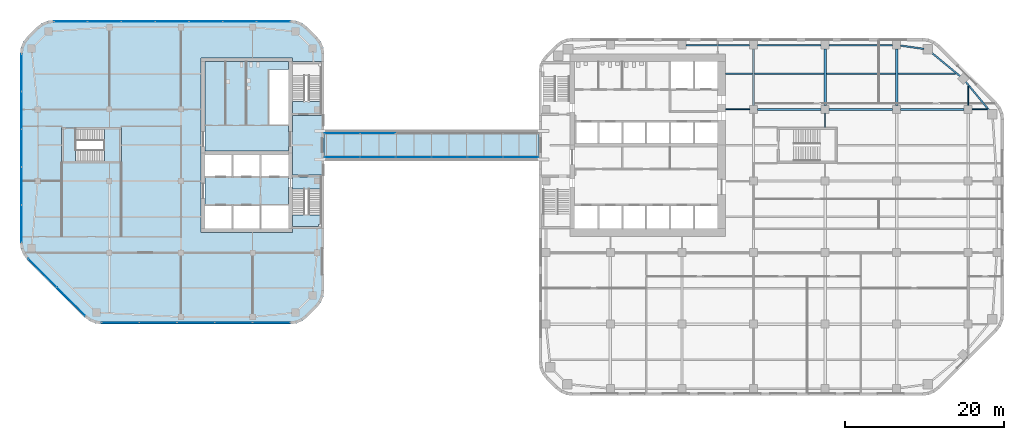
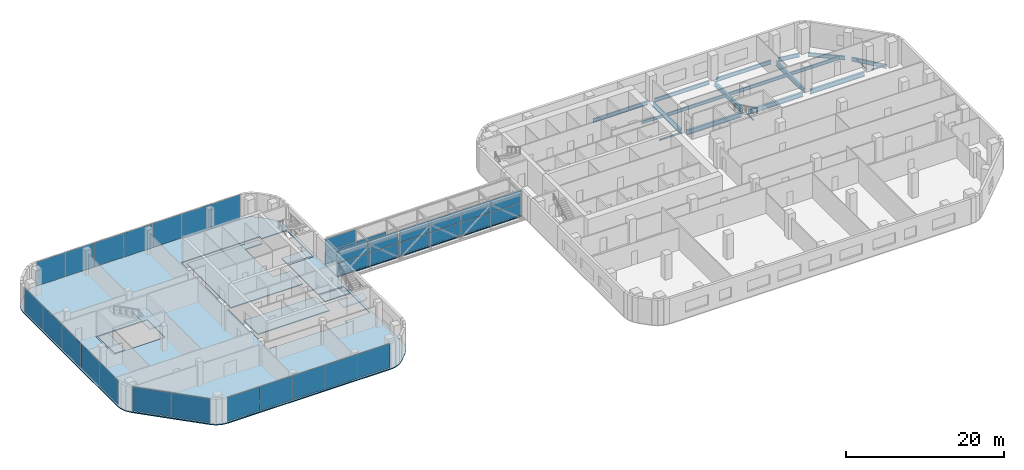
# One storey, part 13 of 24: 34 plates, 20 beams, 9 slabs, 11 elements without a shape of their own.
"""IFC4 building model written with IfcOpenShell, lengths in metres."""

from ifc_helpers import new_model, si_unit, direction, frame, origin, origin_2d, place, context, subcontext, project, spatial, polyline, rectangle, i_section, outline, extrude, material, layer, layer_set, material_profile, profile_set, type_object, element, aggregate, save


model = new_model("IFC4")

# Units and contexts
model_context = context("Model", 3, precision=1e-05, world=origin(), true_north=direction((0.0, 1.0)))
body_context = subcontext(model_context, "Body", "Model", "MODEL_VIEW")
ifc_project = project(units=[si_unit("LENGTHUNIT", "METRE"), si_unit("AREAUNIT", "SQUARE_METRE"), si_unit("VOLUMEUNIT", "CUBIC_METRE"), si_unit("PLANEANGLEUNIT", "RADIAN"), si_unit("MASSUNIT", "GRAM", prefix="KILO")], contexts=[model_context])

# Site, building, storey
site_placement = place(None, origin())
site = spatial("IfcSite", under=ifc_project, at=site_placement, CompositionType="ELEMENT")
building_placement = place(site_placement, origin())
building = spatial("IfcBuilding", under=site, at=building_placement, Name="Cinnabar Reach Civic Tower", CompositionType="ELEMENT")
storey_placement = place(building_placement, frame((0.0, 0.0, 71.0)))
storey = spatial("IfcBuildingStorey", under=building, at=storey_placement, Name="L16", CompositionType="ELEMENT", Elevation=71.0)

# Beams
ifc_material_1 = material(Name="Steel Q355B", Category="steel")
ifc_material_profile_1 = material_profile(ifc_material_1, i_section(OverallWidth=0.099, OverallDepth=0.198, WebThickness=0.0045, FlangeThickness=0.007, FilletRadius=0.013, at=origin_2d()), Name="HN200x100x5.5x8")
ifc_profile_set_1 = profile_set([ifc_material_profile_1], Name="Steel Q355B")
beam_type_1 = type_object("IfcBeamType", Name="HN200x100x5.5x8 beam R 180", PredefinedType="BEAM", material=ifc_profile_set_1)
beam_1_placement = place(storey_placement, frame((36.0, 33.752, -0.249), z_axis=(0.0, 1.0, 0.0), x_axis=(-1.0, 0.0, 0.0)))
element("IfcBeam", 1, at=beam_1_placement, inside=storey, type_object=beam_type_1, Name="Girder T1 L16 16", PredefinedType="BEAM", context=body_context, shape_type="SweptSolid", body=[
    extrude(i_section(OverallWidth=0.099, OverallDepth=0.198, WebThickness=0.0045, FlangeThickness=0.007, FilletRadius=0.013, at=origin_2d()), origin(), (0.0, 0.0, 1.0), 1.746),
])
beam_2_placement = place(storey_placement, frame((54.0, 36.502, -0.249), z_axis=(0.0, 1.0, 0.0), x_axis=(-1.0, 0.0, 0.0)))
element("IfcBeam", 2, at=beam_2_placement, inside=storey, type_object=beam_type_1, Name="Girder T1 L16 27", PredefinedType="BEAM", context=body_context, shape_type="SweptSolid", body=[
    extrude(i_section(OverallWidth=0.099, OverallDepth=0.198, WebThickness=0.0045, FlangeThickness=0.007, FilletRadius=0.013, at=origin_2d()), origin(), (0.0, 0.0, 1.0), 2.4298),
])
ifc_material_profile_2 = material_profile(ifc_material_1, i_section(OverallWidth=0.124, OverallDepth=0.248, WebThickness=0.005, FlangeThickness=0.008, FilletRadius=0.013, at=origin_2d()), Name="HN250x125x6x9")
ifc_profile_set_2 = profile_set([ifc_material_profile_2], Name="Steel Q355B")
beam_type_2 = type_object("IfcBeamType", Name="HN250x125x6x9 beam R 180", PredefinedType="BEAM", material=ifc_profile_set_2)
beam_3_placement = place(storey_placement, frame((23.502, 36.0, -0.274), z_axis=(1.0, 0.0, 0.0), x_axis=(0.0, 1.0, 0.0)))
element("IfcBeam", 3, at=beam_3_placement, inside=storey, type_object=beam_type_2, Name="Girder T1 L16 20", PredefinedType="BEAM", context=body_context, shape_type="SweptSolid", body=[
    extrude(i_section(OverallWidth=0.124, OverallDepth=0.248, WebThickness=0.005, FlangeThickness=0.008, FilletRadius=0.013, at=origin_2d()), origin(), (0.0, 0.0, 1.0), 2.996),
])
beam_4_placement = place(storey_placement, frame((54.502, 36.0, -0.274), z_axis=(1.0, 0.0, 0.0), x_axis=(0.0, 1.0, 0.0)))
element("IfcBeam", 4, at=beam_4_placement, inside=storey, type_object=beam_type_2, Name="Girder T1 L16 24", PredefinedType="BEAM", context=body_context, shape_type="SweptSolid", body=[
    extrude(i_section(OverallWidth=0.124, OverallDepth=0.248, WebThickness=0.005, FlangeThickness=0.008, FilletRadius=0.013, at=origin_2d()), origin(), (0.0, 0.0, 1.0), 1.9162),
])
ifc_material_profile_3 = material_profile(ifc_material_1, i_section(OverallWidth=0.2, OverallDepth=0.4, WebThickness=0.008, FlangeThickness=0.013, FilletRadius=0.016, at=origin_2d()), Name="HN400x200x8x13")
ifc_profile_set_3 = profile_set([ifc_material_profile_3], Name="Steel Q355B")
beam_type_3 = type_object("IfcBeamType", Name="HN400x200x8x13 beam R 180", PredefinedType="BEAM", material=ifc_profile_set_3)
beam_5_placement = place(storey_placement, frame((23.502, 40.5, -0.35), z_axis=(1.0, 0.0, 0.0), x_axis=(0.0, 1.0, 0.0)))
element("IfcBeam", 5, at=beam_5_placement, inside=storey, type_object=beam_type_3, Name="Secondary beam T1 L16 25", PredefinedType="BEAM", context=body_context, shape_type="SweptSolid", body=[
    extrude(i_section(OverallWidth=0.2, OverallDepth=0.4, WebThickness=0.008, FlangeThickness=0.013, FilletRadius=0.016, at=origin_2d()), origin(), (0.0, 0.0, 1.0), 3.346),
])
ifc_material_profile_4 = material_profile(ifc_material_1, i_section(OverallWidth=0.2, OverallDepth=0.5, WebThickness=0.01, FlangeThickness=0.016, FilletRadius=0.016, at=origin_2d()), Name="HN500x200x10x16")
ifc_profile_set_4 = profile_set([ifc_material_profile_4], Name="Steel Q355B")
beam_type_4 = type_object("IfcBeamType", Name="HN500x200x10x16 beam R 180", PredefinedType="BEAM", material=ifc_profile_set_4)
for number, where, z_axis, x_axis, name in (
    (6, (27.152, 40.5, -0.4), (1.0, 0.0, 0.0), (0.0, 1.0, 0.0), "Secondary beam T1 L16 26"),
    (7, (36.152, 40.5, -0.4), (1.0, 0.0, 0.0), (0.0, 1.0, 0.0), "Secondary beam T1 L16 27"),
):
    element("IfcBeam", number, at=place(storey_placement, frame(where, z_axis=z_axis, x_axis=x_axis)), inside=storey, type_object=beam_type_4, Name=name, PredefinedType="BEAM", context=body_context, shape_type="SweptSolid", body=[
        extrude(i_section(OverallWidth=0.2, OverallDepth=0.5, WebThickness=0.01, FlangeThickness=0.016, FilletRadius=0.016, at=origin_2d()), origin(), (0.0, 0.0, 1.0), 8.696),
    ])
beam_6_placement = place(storey_placement, frame((45.152, 40.5, -0.4), z_axis=(1.0, 0.0, 0.0), x_axis=(0.0, 1.0, 0.0)))
element("IfcBeam", 8, at=beam_6_placement, inside=storey, type_object=beam_type_4, Name="Secondary beam T1 L16 28", PredefinedType="BEAM", context=body_context, shape_type="SweptSolid", body=[
    extrude(i_section(OverallWidth=0.2, OverallDepth=0.5, WebThickness=0.01, FlangeThickness=0.016, FilletRadius=0.016, at=origin_2d()), origin(), (0.0, 0.0, 1.0), 7.2798),
])
ifc_material_profile_5 = material_profile(ifc_material_1, i_section(OverallWidth=0.2, OverallDepth=0.6, WebThickness=0.011, FlangeThickness=0.017, FilletRadius=0.016, at=origin_2d()), Name="HN600x200x11x17")
ifc_profile_set_5 = profile_set([ifc_material_profile_5], Name="Steel Q355B")
beam_type_5 = type_object("IfcBeamType", Name="HN600x200x11x17 beam R 180", PredefinedType="BEAM", material=ifc_profile_set_5)
for number, where, z_axis, x_axis, name in (
    (9, (56.6493, 35.8801, -0.45), (-0.6363041581, 0.77143827905, 0.0), (-0.77143827905, -0.6363041581, 0.0), "Edge beam T1 L16 12"),
    (10, (53.0211, 40.1461, -0.45), (-0.77143827905, 0.6363041581, 0.0), (-0.6363041581, -0.77143827905, 0.0), "Edge beam T1 L16 13"),
):
    element("IfcBeam", number, at=place(storey_placement, frame(where, z_axis=z_axis, x_axis=x_axis)), inside=storey, type_object=beam_type_5, Name=name, PredefinedType="BEAM", context=body_context, shape_type="SweptSolid", body=[
        extrude(i_section(OverallWidth=0.2, OverallDepth=0.6, WebThickness=0.011, FlangeThickness=0.017, FilletRadius=0.016, at=origin_2d()), origin(), (0.0, 0.0, 1.0), 4.7198),
    ])
beam_7_placement = place(storey_placement, frame((48.4161, 43.6153, -0.45), z_axis=(-0.990082238922, 0.140489003738, 0.0), x_axis=(-0.140489003738, -0.990082238922, 0.0)))
element("IfcBeam", 11, at=beam_7_placement, inside=storey, type_object=beam_type_5, Name="Edge beam T1 L16 14", PredefinedType="BEAM", context=body_context, shape_type="SweptSolid", body=[
    extrude(i_section(OverallWidth=0.2, OverallDepth=0.6, WebThickness=0.011, FlangeThickness=0.017, FilletRadius=0.016, at=origin_2d()), origin(), (0.0, 0.0, 1.0), 2.9433),
])
for number, where, z_axis, x_axis, name in (
    (12, (44.498, 44.1, -0.45), (-1.0, 0.0, 0.0), (0.0, -1.0, 0.0), "Edge beam T1 L16 15"),
    (13, (35.498, 44.1, -0.45), (-1.0, 0.0, 0.0), (0.0, -1.0, 0.0), "Edge beam T1 L16 16"),
    (14, (26.498, 44.1, -0.45), (-1.0, 0.0, 0.0), (0.0, -1.0, 0.0), "Edge beam T1 L16 17"),
):
    element("IfcBeam", number, at=place(storey_placement, frame(where, z_axis=z_axis, x_axis=x_axis)), inside=storey, type_object=beam_type_5, Name=name, PredefinedType="BEAM", context=body_context, shape_type="SweptSolid", body=[
        extrude(i_section(OverallWidth=0.2, OverallDepth=0.6, WebThickness=0.011, FlangeThickness=0.017, FilletRadius=0.016, at=origin_2d()), origin(), (0.0, 0.0, 1.0), 7.996),
    ])
ifc_material_profile_6 = material_profile(ifc_material_1, i_section(OverallWidth=0.3, OverallDepth=0.692, WebThickness=0.013, FlangeThickness=0.02, FilletRadius=0.016, at=origin_2d()), Name="HN692x300x13x20")
ifc_profile_set_6 = profile_set([ifc_material_profile_6], Name="Steel Q355B")
beam_type_6 = type_object("IfcBeamType", Name="HN692x300x13x20 beam R 180", PredefinedType="BEAM", material=ifc_profile_set_6)
for number, where, z_axis, x_axis, name in (
    (15, (27.0, 36.502, -0.496), (0.0, 1.0, 0.0), (-1.0, 0.0, 0.0), "Girder T1 L16 11"),
    (16, (36.0, 36.502, -0.496), (0.0, 1.0, 0.0), (-1.0, 0.0, 0.0), "Girder T1 L16 17"),
    (17, (45.0, 36.502, -0.496), (0.0, 1.0, 0.0), (-1.0, 0.0, 0.0), "Girder T1 L16 22"),
):
    element("IfcBeam", number, at=place(storey_placement, frame(where, z_axis=z_axis, x_axis=x_axis)), inside=storey, type_object=beam_type_6, Name=name, PredefinedType="BEAM", context=body_context, shape_type="SweptSolid", body=[
        extrude(i_section(OverallWidth=0.3, OverallDepth=0.692, WebThickness=0.013, FlangeThickness=0.02, FilletRadius=0.016, at=origin_2d()), origin(), (0.0, 0.0, 1.0), 7.096),
    ])
ifc_material_profile_7 = material_profile(ifc_material_1, i_section(OverallWidth=0.3, OverallDepth=0.7, WebThickness=0.013, FlangeThickness=0.024, FilletRadius=0.02, at=origin_2d()), Name="HN700x300x13x24")
ifc_profile_set_7 = profile_set([ifc_material_profile_7], Name="Steel Q355B")
beam_type_7 = type_object("IfcBeamType", Name="HN700x300x13x24 beam R 180", PredefinedType="BEAM", material=ifc_profile_set_7)
for number, where, z_axis, x_axis, name in (
    (18, (27.502, 36.0, -0.5), (1.0, 0.0, 0.0), (0.0, 1.0, 0.0), "Girder T1 L16 21"),
    (19, (36.502, 36.0, -0.5), (1.0, 0.0, 0.0), (0.0, 1.0, 0.0), "Girder T1 L16 22"),
    (20, (45.502, 36.0, -0.5), (1.0, 0.0, 0.0), (0.0, 1.0, 0.0), "Girder T1 L16 23"),
):
    element("IfcBeam", number, at=place(storey_placement, frame(where, z_axis=z_axis, x_axis=x_axis)), inside=storey, type_object=beam_type_7, Name=name, PredefinedType="BEAM", context=body_context, shape_type="SweptSolid", body=[
        extrude(i_section(OverallWidth=0.3, OverallDepth=0.7, WebThickness=0.013, FlangeThickness=0.024, FilletRadius=0.02, at=origin_2d()), origin(), (0.0, 0.0, 1.0), 7.996),
    ])

# Curtain wall, plates
ifc_material_2 = material(Name="Aluminium and insulated spandrel panels", Category="aluminium")
curtain_wall_type_1 = type_object("IfcCurtainWallType", Name="Bridge 1 enclosure curtain wall", PredefinedType="NOTDEFINED", material=ifc_material_2)
curtain_wall_1_placement = place(storey_placement, origin())
curtain_wall_1 = element("IfcCurtainWall", 21, at=curtain_wall_1_placement, inside=storey, type_object=curtain_wall_type_1, Name="Bridge 1 enclosure 1", PredefinedType="NOTDEFINED")
ifc_material_3 = material(Name="Aluminium-faced insulated opaque spandrel panel", Category="aluminium")
ifc_layer_1 = layer(ifc_material_3, 0.028)
ifc_layer_set_1 = layer_set([ifc_layer_1], Name="Bridge 1 enclosure spandrel panel")
plate_type_1 = type_object("IfcPlateType", Name="Bridge 1 enclosure spandrel panel", PredefinedType="USERDEFINED", material=ifc_layer_set_1)
plate_1_placement = place(storey_placement, frame((-24.735, 30.0, 0.06), z_axis=(0.0, 0.0, 1.0), x_axis=(1.0, 0.0, 0.0)))
plate_1 = element("IfcPlate", 22, at=plate_1_placement, type_object=plate_type_1, Name="CW-BR1-1 panel 1.1", ObjectType="SPANDREL PANEL", PredefinedType="USERDEFINED", context=body_context, shape_type="SweptSolid", body=[
    extrude(rectangle(XDim=4.41, YDim=0.028, at=origin_2d()), origin(), (0.0, 0.0, 1.0), 1.91),
])
plate_2_placement = place(storey_placement, frame((-24.735, 30.0, 2.03), z_axis=(0.0, 0.0, 1.0), x_axis=(1.0, 0.0, 0.0)))
plate_2 = element("IfcPlate", 23, at=plate_2_placement, type_object=plate_type_1, Name="CW-BR1-1 panel 1.2", ObjectType="SPANDREL PANEL", PredefinedType="USERDEFINED", context=body_context, shape_type="SweptSolid", body=[
    extrude(rectangle(XDim=4.41, YDim=0.028, at=origin_2d()), origin(), (0.0, 0.0, 1.0), 1.86),
])
plate_3_placement = place(storey_placement, frame((-20.265, 30.0, 0.06), z_axis=(0.0, 0.0, 1.0), x_axis=(1.0, 0.0, 0.0)))
plate_3 = element("IfcPlate", 24, at=plate_3_placement, type_object=plate_type_1, Name="CW-BR1-1 panel 2.1", ObjectType="SPANDREL PANEL", PredefinedType="USERDEFINED", context=body_context, shape_type="SweptSolid", body=[
    extrude(rectangle(XDim=4.41, YDim=0.028, at=origin_2d()), origin(), (0.0, 0.0, 1.0), 1.91),
])
plate_4_placement = place(storey_placement, frame((-20.265, 30.0, 2.03), z_axis=(0.0, 0.0, 1.0), x_axis=(1.0, 0.0, 0.0)))
plate_4 = element("IfcPlate", 25, at=plate_4_placement, type_object=plate_type_1, Name="CW-BR1-1 panel 2.2", ObjectType="SPANDREL PANEL", PredefinedType="USERDEFINED", context=body_context, shape_type="SweptSolid", body=[
    extrude(rectangle(XDim=4.41, YDim=0.028, at=origin_2d()), origin(), (0.0, 0.0, 1.0), 1.86),
])
aggregate(curtain_wall_1, [plate_1, plate_2, plate_3, plate_4])

curtain_wall_2_placement = place(storey_placement, origin())
curtain_wall_2 = element("IfcCurtainWall", 26, at=curtain_wall_2_placement, inside=storey, type_object=curtain_wall_type_1, Name="Bridge 1 enclosure 2", PredefinedType="NOTDEFINED")
plate_5_placement = place(storey_placement, frame((-15.735, 30.0, 0.06), z_axis=(0.0, 0.0, 1.0), x_axis=(1.0, 0.0, 0.0)))
plate_5 = element("IfcPlate", 27, at=plate_5_placement, type_object=plate_type_1, Name="CW-BR1-2 panel 1.1", ObjectType="SPANDREL PANEL", PredefinedType="USERDEFINED", context=body_context, shape_type="SweptSolid", body=[
    extrude(rectangle(XDim=4.41, YDim=0.028, at=origin_2d()), origin(), (0.0, 0.0, 1.0), 1.91),
])
plate_6_placement = place(storey_placement, frame((-15.735, 30.0, 2.03), z_axis=(0.0, 0.0, 1.0), x_axis=(1.0, 0.0, 0.0)))
plate_6 = element("IfcPlate", 28, at=plate_6_placement, type_object=plate_type_1, Name="CW-BR1-2 panel 1.2", ObjectType="SPANDREL PANEL", PredefinedType="USERDEFINED", context=body_context, shape_type="SweptSolid", body=[
    extrude(rectangle(XDim=4.41, YDim=0.028, at=origin_2d()), origin(), (0.0, 0.0, 1.0), 1.86),
])
plate_7_placement = place(storey_placement, frame((-11.265, 30.0, 0.06), z_axis=(0.0, 0.0, 1.0), x_axis=(1.0, 0.0, 0.0)))
plate_7 = element("IfcPlate", 29, at=plate_7_placement, type_object=plate_type_1, Name="CW-BR1-2 panel 2.1", ObjectType="SPANDREL PANEL", PredefinedType="USERDEFINED", context=body_context, shape_type="SweptSolid", body=[
    extrude(rectangle(XDim=4.41, YDim=0.028, at=origin_2d()), origin(), (0.0, 0.0, 1.0), 1.91),
])
plate_8_placement = place(storey_placement, frame((-11.265, 30.0, 2.03), z_axis=(0.0, 0.0, 1.0), x_axis=(1.0, 0.0, 0.0)))
plate_8 = element("IfcPlate", 30, at=plate_8_placement, type_object=plate_type_1, Name="CW-BR1-2 panel 2.2", ObjectType="SPANDREL PANEL", PredefinedType="USERDEFINED", context=body_context, shape_type="SweptSolid", body=[
    extrude(rectangle(XDim=4.41, YDim=0.028, at=origin_2d()), origin(), (0.0, 0.0, 1.0), 1.86),
])
aggregate(curtain_wall_2, [plate_5, plate_6, plate_7, plate_8])

curtain_wall_3_placement = place(storey_placement, origin())
curtain_wall_3 = element("IfcCurtainWall", 31, at=curtain_wall_3_placement, inside=storey, type_object=curtain_wall_type_1, Name="Bridge 1 enclosure 3", PredefinedType="NOTDEFINED")
plate_9_placement = place(storey_placement, frame((-6.735, 30.0, 0.06), z_axis=(0.0, 0.0, 1.0), x_axis=(1.0, 0.0, 0.0)))
plate_9 = element("IfcPlate", 32, at=plate_9_placement, type_object=plate_type_1, Name="CW-BR1-3 panel 1.1", ObjectType="SPANDREL PANEL", PredefinedType="USERDEFINED", context=body_context, shape_type="SweptSolid", body=[
    extrude(rectangle(XDim=4.41, YDim=0.028, at=origin_2d()), origin(), (0.0, 0.0, 1.0), 1.91),
])
plate_10_placement = place(storey_placement, frame((-6.735, 30.0, 2.03), z_axis=(0.0, 0.0, 1.0), x_axis=(1.0, 0.0, 0.0)))
plate_10 = element("IfcPlate", 33, at=plate_10_placement, type_object=plate_type_1, Name="CW-BR1-3 panel 1.2", ObjectType="SPANDREL PANEL", PredefinedType="USERDEFINED", context=body_context, shape_type="SweptSolid", body=[
    extrude(rectangle(XDim=4.41, YDim=0.028, at=origin_2d()), origin(), (0.0, 0.0, 1.0), 1.86),
])
plate_11_placement = place(storey_placement, frame((-2.265, 30.0, 0.06), z_axis=(0.0, 0.0, 1.0), x_axis=(1.0, 0.0, 0.0)))
plate_11 = element("IfcPlate", 34, at=plate_11_placement, type_object=plate_type_1, Name="CW-BR1-3 panel 2.1", ObjectType="SPANDREL PANEL", PredefinedType="USERDEFINED", context=body_context, shape_type="SweptSolid", body=[
    extrude(rectangle(XDim=4.41, YDim=0.028, at=origin_2d()), origin(), (0.0, 0.0, 1.0), 1.91),
])
plate_12_placement = place(storey_placement, frame((-2.265, 30.0, 2.03), z_axis=(0.0, 0.0, 1.0), x_axis=(1.0, 0.0, 0.0)))
plate_12 = element("IfcPlate", 35, at=plate_12_placement, type_object=plate_type_1, Name="CW-BR1-3 panel 2.2", ObjectType="SPANDREL PANEL", PredefinedType="USERDEFINED", context=body_context, shape_type="SweptSolid", body=[
    extrude(rectangle(XDim=4.41, YDim=0.028, at=origin_2d()), origin(), (0.0, 0.0, 1.0), 1.86),
])
aggregate(curtain_wall_3, [plate_9, plate_10, plate_11, plate_12])

curtain_wall_4_placement = place(storey_placement, origin())
curtain_wall_4 = element("IfcCurtainWall", 36, at=curtain_wall_4_placement, inside=storey, type_object=curtain_wall_type_1, Name="Bridge 1 enclosure 4", PredefinedType="NOTDEFINED")
plate_13_placement = place(storey_placement, frame((-24.735, 33.0, 0.06), z_axis=(0.0, 0.0, 1.0), x_axis=(1.0, 0.0, 0.0)))
plate_13 = element("IfcPlate", 37, at=plate_13_placement, type_object=plate_type_1, Name="CW-BR1-4 panel 1.1", ObjectType="SPANDREL PANEL", PredefinedType="USERDEFINED", context=body_context, shape_type="SweptSolid", body=[
    extrude(rectangle(XDim=4.41, YDim=0.028, at=origin_2d()), origin(), (0.0, 0.0, 1.0), 1.91),
])
plate_14_placement = place(storey_placement, frame((-24.735, 33.0, 2.03), z_axis=(0.0, 0.0, 1.0), x_axis=(1.0, 0.0, 0.0)))
plate_14 = element("IfcPlate", 38, at=plate_14_placement, type_object=plate_type_1, Name="CW-BR1-4 panel 1.2", ObjectType="SPANDREL PANEL", PredefinedType="USERDEFINED", context=body_context, shape_type="SweptSolid", body=[
    extrude(rectangle(XDim=4.41, YDim=0.028, at=origin_2d()), origin(), (0.0, 0.0, 1.0), 1.86),
])
plate_15_placement = place(storey_placement, frame((-20.265, 33.0, 0.06), z_axis=(0.0, 0.0, 1.0), x_axis=(1.0, 0.0, 0.0)))
plate_15 = element("IfcPlate", 39, at=plate_15_placement, type_object=plate_type_1, Name="CW-BR1-4 panel 2.1", ObjectType="SPANDREL PANEL", PredefinedType="USERDEFINED", context=body_context, shape_type="SweptSolid", body=[
    extrude(rectangle(XDim=4.41, YDim=0.028, at=origin_2d()), origin(), (0.0, 0.0, 1.0), 1.91),
])
aggregate(curtain_wall_4, [plate_13, plate_14, plate_15])

# Slabs
ifc_material_4 = material(Name="Concrete C40", Category="concrete")
ifc_layer_2 = layer(ifc_material_4, 0.15)
ifc_layer_set_2 = layer_set([ifc_layer_2], Name="Bridge deck 150")
slab_type_1 = type_object("IfcSlabType", Name="Bridge deck 150", PredefinedType="FLOOR", material=ifc_layer_set_2)
slab_1_placement = place(storey_placement, frame((0.0, 0.0, -0.15)))
element("IfcSlab", 40, at=slab_1_placement, inside=storey, type_object=slab_type_1, Name="BR1 deck", PredefinedType="FLOOR", context=body_context, shape_type="SweptSolid", body=[
    extrude(outline(polyline([(-27.0, 29.9025), (0.0, 29.9025), (0.0, 33.0975), (-27.0, 33.0975), (-27.0, 29.9025)])), origin(), (0.0, 0.0, 1.0), 0.15),
])
ifc_layer_3 = layer(ifc_material_4, 0.15)
ifc_layer_set_3 = layer_set([ifc_layer_3], Name="Composite floor slab 150 REI 120")
slab_type_2 = type_object("IfcSlabType", Name="Composite floor slab 150 REI 120", PredefinedType="FLOOR", material=ifc_layer_set_3)
slab_2_placement = place(storey_placement, frame((0.0, 0.0, -0.15)))
element("IfcSlab", 41, at=slab_2_placement, inside=storey, type_object=slab_type_2, Name="Composite floor slab 150 T2 L16", PredefinedType="FLOOR", context=body_context, shape_type="SweptSolid", body=[
    extrude(outline(polyline([(-64.3713, 17.1213), (-64.8481, 17.7426), (-65.1478, 18.4662), (-65.25, 19.2426), (-65.25, 43.0074), (-65.1478, 43.7838), (-64.8481, 44.5074), (-64.3713, 45.1287), (-63.1287, 46.3713), (-62.5074, 46.8481), (-61.7838, 47.1478), (-61.0074, 47.25), (-31.2426, 47.25), (-30.4662, 47.1478), (-29.7426, 46.8481), (-29.1213, 46.3713), (-27.8787, 45.1287), (-27.4019, 44.5074), (-27.1022, 43.7838), (-27.0, 43.0074), (-27.0, 13.2426), (-27.1022, 12.4662), (-27.4019, 11.7426), (-27.8787, 11.1213), (-29.1213, 9.8787), (-29.7426, 9.4019), (-30.4662, 9.1022), (-31.2426, 9.0), (-55.0074, 9.0), (-55.7838, 9.1022), (-56.5074, 9.4019), (-57.1287, 9.8787), (-64.3713, 17.1213)]), holes=[polyline([(-31.0, 27.75), (-31.0, 35.25), (-27.36, 35.25), (-27.36, 42.0), (-31.0, 42.0), (-31.0, 42.5), (-42.5, 42.5), (-42.5, 20.5), (-31.0, 20.5), (-31.0, 21.0), (-27.36, 21.0), (-27.36, 27.75), (-31.0, 27.75)]), polyline([(-60.0, 33.75), (-60.0, 29.25), (-52.5, 29.25), (-52.5, 33.75), (-60.0, 33.75)])]), origin(), (0.0, 0.0, 1.0), 0.15),
])
ifc_layer_4 = layer(ifc_material_4, 0.15)
ifc_layer_set_4 = layer_set([ifc_layer_4], Name="T2 Core floor slab 150")
slab_type_3 = type_object("IfcSlabType", Name="T2 Core floor slab 150", PredefinedType="FLOOR", material=ifc_layer_set_4)
slab_3_placement = place(storey_placement, frame((0.0, 0.0, -0.15)))
element("IfcSlab", 42, at=slab_3_placement, inside=storey, type_object=slab_type_3, Name="Core floor slab L16", PredefinedType="FLOOR", context=body_context, shape_type="SweptSolid", body=[
    extrude(outline(polyline([(-42.0, 42.0), (-31.5, 42.0), (-31.5, 41.0), (-34.0, 41.0), (-34.0, 34.0), (-31.5, 34.0), (-31.5, 30.75), (-42.0, 30.75), (-42.0, 42.0)])), origin(), (0.0, 0.0, 1.0), 0.15),
])
slab_4_placement = place(storey_placement, frame((0.0, 0.0, -0.15)))
element("IfcSlab", 43, at=slab_4_placement, inside=storey, type_object=slab_type_3, Name="Core floor slab L16", PredefinedType="FLOOR", context=body_context, shape_type="SweptSolid", body=[
    extrude(outline(polyline([(-35.0, 24.0), (-38.5, 24.0), (-42.0, 24.0), (-42.0, 27.5), (-38.5, 27.5), (-35.0, 27.5), (-31.5, 27.5), (-31.5, 24.0), (-35.0, 24.0)])), origin(), (0.0, 0.0, 1.0), 0.15),
])

# Stair, slabs
stair_type = type_object("IfcStairType", Name="T2 Exit stair 1500", PredefinedType="HALF_TURN_STAIR", material=ifc_material_4)
stair_1_placement = place(storey_placement, origin())
stair_1 = element("IfcStair", 44, at=stair_1_placement, inside=storey, type_object=stair_type, Name="Exit stair 1", PredefinedType="HALF_TURN_STAIR")
ifc_layer_5 = layer(ifc_material_4, 0.2)
ifc_layer_set_5 = layer_set([ifc_layer_5], Name="T2 Stair landing 200")
slab_type_4 = type_object("IfcSlabType", Name="T2 Stair landing 200", PredefinedType="LANDING", material=ifc_layer_set_5)
slab_5_placement = place(storey_placement, frame((0.0, 0.0, -0.2)))
slab_5 = element("IfcSlab", 45, at=slab_5_placement, type_object=slab_type_4, Name="ST1 landing 1", PredefinedType="LANDING", context=body_context, shape_type="SweptSolid", body=[
    extrude(outline(polyline([(-31.0, 26.0), (-31.0, 27.5), (-27.4, 27.5), (-27.4, 26.0), (-31.0, 26.0)])), origin(), (0.0, 0.0, 1.0), 0.2),
])
slab_6_placement = place(storey_placement, frame((0.0, 0.0, 1.8)))
slab_6 = element("IfcSlab", 46, at=slab_6_placement, type_object=slab_type_4, Name="ST1 landing 2", PredefinedType="LANDING", context=body_context, shape_type="SweptSolid", body=[
    extrude(outline(polyline([(-31.0, 21.25), (-31.0, 22.75), (-27.4, 22.75), (-27.4, 21.55), (-27.7, 21.55), (-27.7, 21.25), (-31.0, 21.25)])), origin(), (0.0, 0.0, 1.0), 0.2),
])
aggregate(stair_1, [slab_5, slab_6])

# Stair, slab
stair_2_placement = place(storey_placement, origin())
stair_2 = element("IfcStair", 47, at=stair_2_placement, inside=storey, type_object=stair_type, Name="Exit stair 2", PredefinedType="HALF_TURN_STAIR")
slab_7_placement = place(storey_placement, frame((0.0, 0.0, -0.2)))
slab_7 = element("IfcSlab", 48, at=slab_7_placement, type_object=slab_type_4, Name="ST2 landing 1", PredefinedType="LANDING", context=body_context, shape_type="SweptSolid", body=[
    extrude(outline(polyline([(-31.0, 35.5), (-31.0, 37.0), (-27.4, 37.0), (-27.4, 35.5), (-31.0, 35.5)])), origin(), (0.0, 0.0, 1.0), 0.2),
])
aggregate(stair_2, [slab_7])

# Stair, slabs
stair_3_placement = place(storey_placement, origin())
stair_3 = element("IfcStair", 49, at=stair_3_placement, inside=storey, type_object=stair_type, Name="Exit stair 3", PredefinedType="HALF_TURN_STAIR")
slab_8_placement = place(storey_placement, frame((0.0, 0.0, -0.2)))
slab_8 = element("IfcSlab", 50, at=slab_8_placement, type_object=slab_type_4, Name="ST3 landing 1", PredefinedType="LANDING", context=body_context, shape_type="SweptSolid", body=[
    extrude(outline(polyline([(-59.75, 29.375), (-59.75, 33.625), (-58.25, 33.625), (-58.25, 29.375), (-59.75, 29.375)])), origin(), (0.0, 0.0, 1.0), 0.2),
])
slab_9_placement = place(storey_placement, frame((0.0, 0.0, 1.8)))
slab_9 = element("IfcSlab", 51, at=slab_9_placement, type_object=slab_type_4, Name="ST3 landing 2", PredefinedType="LANDING", context=body_context, shape_type="SweptSolid", body=[
    extrude(outline(polyline([(-54.65, 29.375), (-54.65, 33.625), (-52.75, 33.625), (-52.75, 29.375), (-54.65, 29.375)])), origin(), (0.0, 0.0, 1.0), 0.2),
])
aggregate(stair_3, [slab_8, slab_9])

# Curtain wall, plates
ifc_material_5 = material(Name="Aluminium and clear double glazing", Category="aluminium")
curtain_wall_type_2 = type_object("IfcCurtainWallType", Name="Tower 2 sky lobby and amenity curtain wall", PredefinedType="NOTDEFINED", material=ifc_material_5)
curtain_wall_5_placement = place(storey_placement, origin())
curtain_wall_5 = element("IfcCurtainWall", 52, at=curtain_wall_5_placement, inside=storey, type_object=curtain_wall_type_2, Name="Tower 2 sky lobby and amenity 1", PredefinedType="NOTDEFINED")
ifc_material_6 = material(Name="Clear double glazing", Category="glass")
ifc_layer_6 = layer(ifc_material_6, 0.028)
ifc_layer_set_6 = layer_set([ifc_layer_6], Name="Tower 2 sky lobby and amenity glazing panel")
plate_type_2 = type_object("IfcPlateType", Name="Tower 2 sky lobby and amenity glazing panel", PredefinedType="CURTAIN_PANEL", material=ifc_layer_set_6)
plate_16_placement = place(storey_placement, frame((-52.6159, 9.18, 0.06), z_axis=(0.0, 0.0, 1.0), x_axis=(1.0, 0.0, 0.0)))
plate_16 = element("IfcPlate", 53, at=plate_16_placement, type_object=plate_type_2, Name="CW-T2SKY-1 panel 1.1", PredefinedType="CURTAIN_PANEL", context=body_context, shape_type="SweptSolid", body=[
    extrude(rectangle(XDim=4.663, YDim=0.028, at=origin_2d()), origin(), (0.0, 0.0, 1.0), 3.73),
])
plate_17_placement = place(storey_placement, frame((-47.878, 9.18, 0.06), z_axis=(0.0, 0.0, 1.0), x_axis=(1.0, 0.0, 0.0)))
plate_17 = element("IfcPlate", 54, at=plate_17_placement, type_object=plate_type_2, Name="CW-T2SKY-1 panel 2.1", PredefinedType="CURTAIN_PANEL", context=body_context, shape_type="SweptSolid", body=[
    extrude(rectangle(XDim=4.693, YDim=0.028, at=origin_2d()), origin(), (0.0, 0.0, 1.0), 3.73),
])
plate_18_placement = place(storey_placement, frame((-43.125, 9.18, 0.06), z_axis=(0.0, 0.0, 1.0), x_axis=(1.0, 0.0, 0.0)))
plate_18 = element("IfcPlate", 55, at=plate_18_placement, type_object=plate_type_2, Name="CW-T2SKY-1 panel 3.1", PredefinedType="CURTAIN_PANEL", context=body_context, shape_type="SweptSolid", body=[
    extrude(rectangle(XDim=4.693, YDim=0.028, at=origin_2d()), origin(), (0.0, 0.0, 1.0), 3.73),
])
plate_19_placement = place(storey_placement, frame((-38.372, 9.18, 0.06), z_axis=(0.0, 0.0, 1.0), x_axis=(1.0, 0.0, 0.0)))
plate_19 = element("IfcPlate", 56, at=plate_19_placement, type_object=plate_type_2, Name="CW-T2SKY-1 panel 4.1", PredefinedType="CURTAIN_PANEL", context=body_context, shape_type="SweptSolid", body=[
    extrude(rectangle(XDim=4.693, YDim=0.028, at=origin_2d()), origin(), (0.0, 0.0, 1.0), 3.73),
])
plate_20_placement = place(storey_placement, frame((-33.6341, 9.18, 0.06), z_axis=(0.0, 0.0, 1.0), x_axis=(1.0, 0.0, 0.0)))
plate_20 = element("IfcPlate", 57, at=plate_20_placement, type_object=plate_type_2, Name="CW-T2SKY-1 panel 5.1", PredefinedType="CURTAIN_PANEL", context=body_context, shape_type="SweptSolid", body=[
    extrude(rectangle(XDim=4.663, YDim=0.028, at=origin_2d()), origin(), (0.0, 0.0, 1.0), 3.73),
])
aggregate(curtain_wall_5, [plate_16, plate_17, plate_18, plate_19, plate_20])

curtain_wall_6_placement = place(storey_placement, origin())
curtain_wall_6 = element("IfcCurtainWall", 58, at=curtain_wall_6_placement, inside=storey, type_object=curtain_wall_type_2, Name="Tower 2 sky lobby and amenity 2", PredefinedType="NOTDEFINED")
plate_21_placement = place(storey_placement, frame((-33.3837, 47.07, 0.06), z_axis=(0.0, 0.0, 1.0), x_axis=(-1.0, 0.0, 0.0)))
plate_21 = element("IfcPlate", 59, at=plate_21_placement, type_object=plate_type_2, Name="CW-T2SKY-2 panel 1.1", PredefinedType="CURTAIN_PANEL", context=body_context, shape_type="SweptSolid", body=[
    extrude(rectangle(XDim=4.1621, YDim=0.028, at=origin_2d()), origin(), (0.0, 0.0, 1.0), 3.73),
])
plate_22_placement = place(storey_placement, frame((-37.6208, 47.07, 0.06), z_axis=(0.0, 0.0, 1.0), x_axis=(-1.0, 0.0, 0.0)))
plate_22 = element("IfcPlate", 60, at=plate_22_placement, type_object=plate_type_2, Name="CW-T2SKY-2 panel 2.1", PredefinedType="CURTAIN_PANEL", context=body_context, shape_type="SweptSolid", body=[
    extrude(rectangle(XDim=4.1921, YDim=0.028, at=origin_2d()), origin(), (0.0, 0.0, 1.0), 3.73),
])
plate_23_placement = place(storey_placement, frame((-41.8729, 47.07, 0.06), z_axis=(0.0, 0.0, 1.0), x_axis=(-1.0, 0.0, 0.0)))
plate_23 = element("IfcPlate", 61, at=plate_23_placement, type_object=plate_type_2, Name="CW-T2SKY-2 panel 3.1", PredefinedType="CURTAIN_PANEL", context=body_context, shape_type="SweptSolid", body=[
    extrude(rectangle(XDim=4.1921, YDim=0.028, at=origin_2d()), origin(), (0.0, 0.0, 1.0), 3.73),
])
plate_24_placement = place(storey_placement, frame((-46.125, 47.07, 0.06), z_axis=(0.0, 0.0, 1.0), x_axis=(-1.0, 0.0, 0.0)))
plate_24 = element("IfcPlate", 62, at=plate_24_placement, type_object=plate_type_2, Name="CW-T2SKY-2 panel 4.1", PredefinedType="CURTAIN_PANEL", context=body_context, shape_type="SweptSolid", body=[
    extrude(rectangle(XDim=4.1921, YDim=0.028, at=origin_2d()), origin(), (0.0, 0.0, 1.0), 3.73),
])
plate_25_placement = place(storey_placement, frame((-50.3771, 47.07, 0.06), z_axis=(0.0, 0.0, 1.0), x_axis=(-1.0, 0.0, 0.0)))
plate_25 = element("IfcPlate", 63, at=plate_25_placement, type_object=plate_type_2, Name="CW-T2SKY-2 panel 5.1", PredefinedType="CURTAIN_PANEL", context=body_context, shape_type="SweptSolid", body=[
    extrude(rectangle(XDim=4.1921, YDim=0.028, at=origin_2d()), origin(), (0.0, 0.0, 1.0), 3.73),
])
plate_26_placement = place(storey_placement, frame((-54.6292, 47.07, 0.06), z_axis=(0.0, 0.0, 1.0), x_axis=(-1.0, 0.0, 0.0)))
plate_26 = element("IfcPlate", 64, at=plate_26_placement, type_object=plate_type_2, Name="CW-T2SKY-2 panel 6.1", PredefinedType="CURTAIN_PANEL", context=body_context, shape_type="SweptSolid", body=[
    extrude(rectangle(XDim=4.1921, YDim=0.028, at=origin_2d()), origin(), (0.0, 0.0, 1.0), 3.73),
])
plate_27_placement = place(storey_placement, frame((-58.8663, 47.07, 0.06), z_axis=(0.0, 0.0, 1.0), x_axis=(-1.0, 0.0, 0.0)))
plate_27 = element("IfcPlate", 65, at=plate_27_placement, type_object=plate_type_2, Name="CW-T2SKY-2 panel 7.1", PredefinedType="CURTAIN_PANEL", context=body_context, shape_type="SweptSolid", body=[
    extrude(rectangle(XDim=4.1621, YDim=0.028, at=origin_2d()), origin(), (0.0, 0.0, 1.0), 3.73),
])
aggregate(curtain_wall_6, [plate_21, plate_22, plate_23, plate_24, plate_25, plate_26, plate_27])

curtain_wall_7_placement = place(storey_placement, origin())
curtain_wall_7 = element("IfcCurtainWall", 66, at=curtain_wall_7_placement, inside=storey, type_object=curtain_wall_type_2, Name="Tower 2 sky lobby and amenity 3", PredefinedType="NOTDEFINED")
plate_28_placement = place(storey_placement, frame((-65.07, 40.6159, 0.06), z_axis=(0.0, 0.0, 1.0), x_axis=(0.0, -1.0, 0.0)))
plate_28 = element("IfcPlate", 67, at=plate_28_placement, type_object=plate_type_2, Name="CW-T2SKY-3 panel 1.1", PredefinedType="CURTAIN_PANEL", context=body_context, shape_type="SweptSolid", body=[
    extrude(rectangle(XDim=4.663, YDim=0.028, at=origin_2d()), origin(), (0.0, 0.0, 1.0), 3.73),
])
plate_29_placement = place(storey_placement, frame((-65.07, 35.878, 0.06), z_axis=(0.0, 0.0, 1.0), x_axis=(0.0, -1.0, 0.0)))
plate_29 = element("IfcPlate", 68, at=plate_29_placement, type_object=plate_type_2, Name="CW-T2SKY-3 panel 2.1", PredefinedType="CURTAIN_PANEL", context=body_context, shape_type="SweptSolid", body=[
    extrude(rectangle(XDim=4.693, YDim=0.028, at=origin_2d()), origin(), (0.0, 0.0, 1.0), 3.73),
])
plate_30_placement = place(storey_placement, frame((-65.07, 31.125, 0.06), z_axis=(0.0, 0.0, 1.0), x_axis=(0.0, -1.0, 0.0)))
plate_30 = element("IfcPlate", 69, at=plate_30_placement, type_object=plate_type_2, Name="CW-T2SKY-3 panel 3.1", PredefinedType="CURTAIN_PANEL", context=body_context, shape_type="SweptSolid", body=[
    extrude(rectangle(XDim=4.693, YDim=0.028, at=origin_2d()), origin(), (0.0, 0.0, 1.0), 3.73),
])
plate_31_placement = place(storey_placement, frame((-65.07, 26.372, 0.06), z_axis=(0.0, 0.0, 1.0), x_axis=(0.0, -1.0, 0.0)))
plate_31 = element("IfcPlate", 70, at=plate_31_placement, type_object=plate_type_2, Name="CW-T2SKY-3 panel 4.1", PredefinedType="CURTAIN_PANEL", context=body_context, shape_type="SweptSolid", body=[
    extrude(rectangle(XDim=4.693, YDim=0.028, at=origin_2d()), origin(), (0.0, 0.0, 1.0), 3.73),
])
plate_32_placement = place(storey_placement, frame((-65.07, 21.6341, 0.06), z_axis=(0.0, 0.0, 1.0), x_axis=(0.0, -1.0, 0.0)))
plate_32 = element("IfcPlate", 71, at=plate_32_placement, type_object=plate_type_2, Name="CW-T2SKY-3 panel 5.1", PredefinedType="CURTAIN_PANEL", context=body_context, shape_type="SweptSolid", body=[
    extrude(rectangle(XDim=4.663, YDim=0.028, at=origin_2d()), origin(), (0.0, 0.0, 1.0), 3.73),
])
aggregate(curtain_wall_7, [plate_28, plate_29, plate_30, plate_31, plate_32])

curtain_wall_8_placement = place(storey_placement, origin())
curtain_wall_8 = element("IfcCurtainWall", 72, at=curtain_wall_8_placement, inside=storey, type_object=curtain_wall_type_2, Name="Tower 2 sky lobby and amenity 4", PredefinedType="NOTDEFINED")
plate_33_placement = place(storey_placement, frame((-62.4227, 15.4273, 0.06), z_axis=(0.0, 0.0, 1.0), x_axis=(0.707106781187, -0.707106781187, 0.0)))
plate_33 = element("IfcPlate", 73, at=plate_33_placement, type_object=plate_type_2, Name="CW-T2SKY-4 panel 1.1", PredefinedType="CURTAIN_PANEL", context=body_context, shape_type="SweptSolid", body=[
    extrude(rectangle(XDim=5.0313, YDim=0.028, at=origin_2d()), origin(), (0.0, 0.0, 1.0), 3.73),
])
plate_34_placement = place(storey_placement, frame((-58.8227, 11.8273, 0.06), z_axis=(0.0, 0.0, 1.0), x_axis=(0.707106781187, -0.707106781187, 0.0)))
plate_34 = element("IfcPlate", 74, at=plate_34_placement, type_object=plate_type_2, Name="CW-T2SKY-4 panel 2.1", PredefinedType="CURTAIN_PANEL", context=body_context, shape_type="SweptSolid", body=[
    extrude(rectangle(XDim=5.0313, YDim=0.028, at=origin_2d()), origin(), (0.0, 0.0, 1.0), 3.73),
])
aggregate(curtain_wall_8, [plate_33, plate_34])

save(model, "model.ifc")
